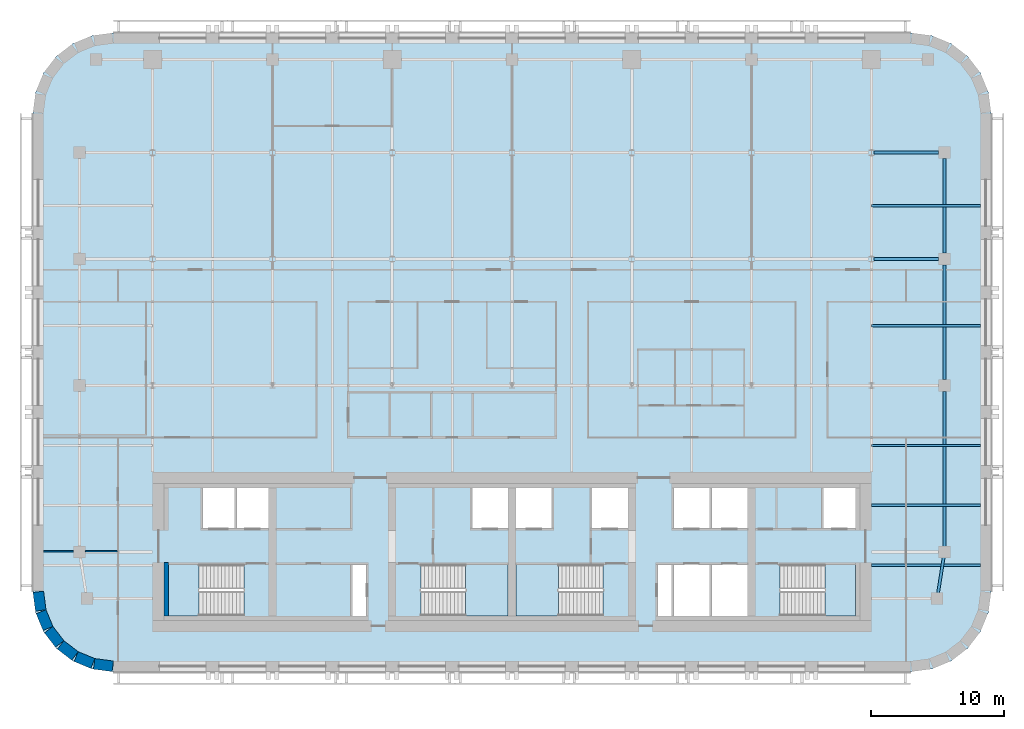
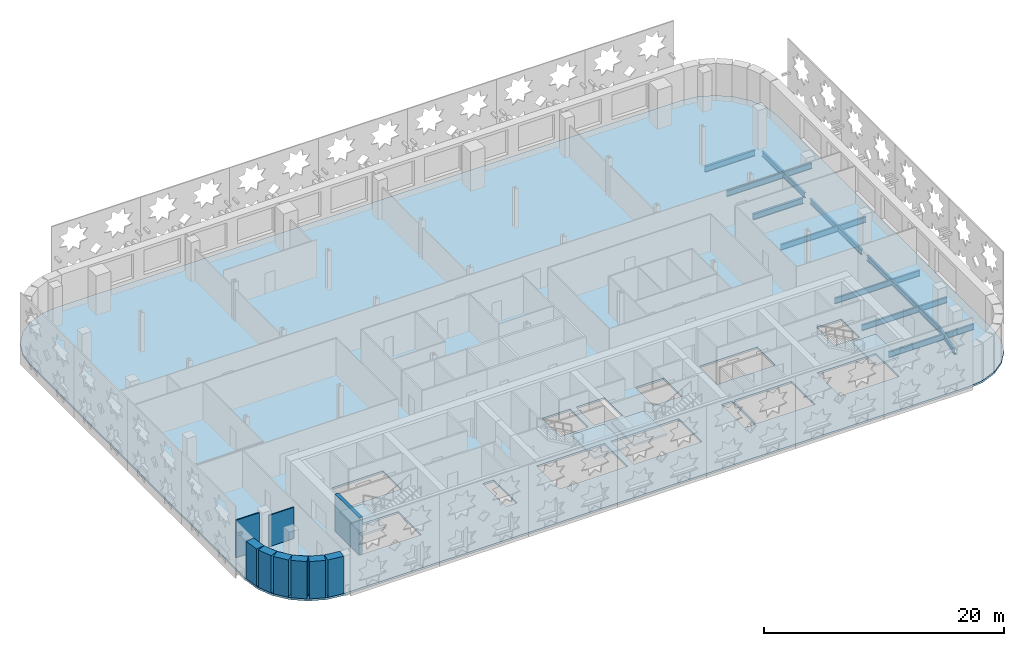
# One storey, part 2 of 12: 11 beams, 9 walls, 5 slabs, 4 elements without a shape of their own.
"""IFC4 building model written with IfcOpenShell, lengths in metres."""

from ifc_helpers import new_model, si_unit, direction, frame, frame_2d, origin, origin_2d, place, context, subcontext, project, spatial, polyline, rectangle, i_section, outline, extrude, material, layer, layer_set, material_profile, profile_set, type_object, element, aggregate, save


model = new_model("IFC4")

# Units and contexts
model_context = context("Model", 3, precision=1e-05, world=origin(), true_north=direction((0.0, 1.0)))
body_context = subcontext(model_context, "Body", "Model", "MODEL_VIEW")
ifc_project = project(units=[si_unit("LENGTHUNIT", "METRE"), si_unit("AREAUNIT", "SQUARE_METRE"), si_unit("VOLUMEUNIT", "CUBIC_METRE"), si_unit("PLANEANGLEUNIT", "RADIAN"), si_unit("MASSUNIT", "GRAM", prefix="KILO")], contexts=[model_context])

# Site, building, storey
site_placement = place(None, origin())
site = spatial("IfcSite", under=ifc_project, at=site_placement, CompositionType="ELEMENT")
building_placement = place(site_placement, origin())
building = spatial("IfcBuilding", under=site, at=building_placement, Name="Zellij Exchange Tower", CompositionType="ELEMENT")
storey_placement = place(building_placement, frame((0.0, 0.0, 204.5)))
storey = spatial("IfcBuildingStorey", under=building, at=storey_placement, Name="L47", CompositionType="ELEMENT", Elevation=204.5)

# Beams
ifc_material_1 = material(Name="Structural steel ASTM A992 Gr 50", Category="steel")
ifc_material_profile_1 = material_profile(ifc_material_1, i_section(OverallWidth=0.177978515625, OverallDepth=0.599365234375, WebThickness=0.010009765625, FlangeThickness=0.012939453125, at=origin_2d()), Name="W24x55")
ifc_profile_set_1 = profile_set([ifc_material_profile_1], Name="Structural steel ASTM A992 Gr 50")
beam_type_1 = type_object("IfcBeamType", Name="STR-BEAM W24x55", PredefinedType="BEAM", material=ifc_profile_set_1)
for number, where, z_axis, x_axis, name in (
    (1, (27.0, -9.0, -0.499755859375), (1.0, 0.0, 0.0), (0.0, 1.0, 0.0), "B4"),
    (2, (27.0, -4.5, -0.499755859375), (1.0, 0.0, 0.0), (0.0, 1.0, 0.0), "B4"),
    (3, (27.0, 0.0, -0.499755859375), (1.0, 0.0, 0.0), (0.0, 1.0, 0.0), "B4"),
    (4, (27.0, 9.0, -0.499755859375), (1.0, 0.0, 0.0), (0.0, 1.0, 0.0), "B4"),
    (5, (27.0, 18.0, -0.499755859375), (1.0, 0.0, 0.0), (0.0, 1.0, 0.0), "B4"),
):
    element("IfcBeam", number, at=place(storey_placement, frame(where, z_axis=z_axis, x_axis=x_axis)), inside=storey, type_object=beam_type_1, Name=name, PredefinedType="BEAM", context=body_context, shape_type="SweptSolid", body=[
        extrude(i_section(OverallWidth=0.177978515625, OverallDepth=0.599365234375, WebThickness=0.010009765625, FlangeThickness=0.012939453125, at=origin_2d()), origin(), (0.0, 0.0, 1.0), 8.199951171875),
    ])
ifc_material_profile_2 = material_profile(ifc_material_1, i_section(OverallWidth=0.209228515625, OverallDepth=0.533447265625, WebThickness=0.01025390625, FlangeThickness=0.015625, at=origin_2d()), Name="W21x62")
ifc_profile_set_2 = profile_set([ifc_material_profile_2], Name="Structural steel ASTM A992 Gr 50")
beam_type_2 = type_object("IfcBeamType", Name="STR-EDGE GIRDER W21x62", PredefinedType="BEAM", material=ifc_profile_set_2)
beam_1_placement = place(storey_placement, frame((31.949951171875, -11.5, -0.466796875), z_axis=(0.155251283593, 0.987875011802, 0.0), x_axis=(-0.987875011802, 0.155251283593, 0.0)))
element("IfcBeam", 6, at=beam_1_placement, inside=storey, type_object=beam_type_2, Name="EB3", PredefinedType="BEAM", context=body_context, shape_type="SweptSolid", body=[
    extrude(i_section(OverallWidth=0.209228515625, OverallDepth=0.533447265625, WebThickness=0.01025390625, FlangeThickness=0.015625, at=origin_2d()), origin(), (0.0, 0.0, 1.0), 3.54296875),
])
beam_2_placement = place(storey_placement, frame((32.5, -8.0, -0.466796875), z_axis=(0.0, 1.0, 0.0), x_axis=(-1.0, 0.0, 0.0)))
element("IfcBeam", 7, at=beam_2_placement, inside=storey, type_object=beam_type_2, Name="EB3", PredefinedType="BEAM", context=body_context, shape_type="SweptSolid", body=[
    extrude(i_section(OverallWidth=0.209228515625, OverallDepth=0.533447265625, WebThickness=0.01025390625, FlangeThickness=0.015625, at=origin_2d()), origin(), (0.0, 0.0, 1.0), 12.050048828125),
])
beam_3_placement = place(storey_placement, frame((32.5, 4.949951171875, -0.466796875), z_axis=(0.0, 1.0, 0.0), x_axis=(-1.0, 0.0, 0.0)))
element("IfcBeam", 8, at=beam_3_placement, inside=storey, type_object=beam_type_2, Name="EB3", PredefinedType="BEAM", context=body_context, shape_type="SweptSolid", body=[
    extrude(i_section(OverallWidth=0.209228515625, OverallDepth=0.533447265625, WebThickness=0.01025390625, FlangeThickness=0.015625, at=origin_2d()), origin(), (0.0, 0.0, 1.0), 8.60009765625),
])
beam_4_placement = place(storey_placement, frame((32.5, 14.449951171875, -0.466796875), z_axis=(0.0, 1.0, 0.0), x_axis=(-1.0, 0.0, 0.0)))
element("IfcBeam", 9, at=beam_4_placement, inside=storey, type_object=beam_type_2, Name="EB3", PredefinedType="BEAM", context=body_context, shape_type="SweptSolid", body=[
    extrude(i_section(OverallWidth=0.209228515625, OverallDepth=0.533447265625, WebThickness=0.01025390625, FlangeThickness=0.015625, at=origin_2d()), origin(), (0.0, 0.0, 1.0), 7.10009765625),
])
ifc_material_profile_3 = material_profile(ifc_material_1, i_section(OverallWidth=0.228271484375, OverallDepth=0.607177734375, WebThickness=0.01123046875, FlangeThickness=0.017333984375, at=origin_2d()), Name="W24x76")
ifc_profile_set_3 = profile_set([ifc_material_profile_3], Name="Structural steel ASTM A992 Gr 50")
beam_type_3 = type_object("IfcBeamType", Name="STR-GIRDER W24x76", PredefinedType="BEAM", material=ifc_profile_set_3)
for number, where, z_axis, x_axis, name in (
    (10, (27.20458984375, 14.0, -0.50341796875), (1.0, 0.0, 0.0), (0.0, 1.0, 0.0), "G2"),
    (11, (27.20458984375, 22.0, -0.50341796875), (1.0, 0.0, 0.0), (0.0, 1.0, 0.0), "G2"),
):
    element("IfcBeam", number, at=place(storey_placement, frame(where, z_axis=z_axis, x_axis=x_axis)), inside=storey, type_object=beam_type_3, Name=name, PredefinedType="BEAM", context=body_context, shape_type="SweptSolid", body=[
        extrude(i_section(OverallWidth=0.228271484375, OverallDepth=0.607177734375, WebThickness=0.01123046875, FlangeThickness=0.017333984375, at=origin_2d()), origin(), (0.0, 0.0, 1.0), 4.845458984375),
    ])

# Stair, slab
ifc_material_2 = material(Name="Concrete C40/50", Category="concrete")
stair_type = type_object("IfcStairType", Name="CORE-ST exit stair 1850 wide", PredefinedType="HALF_TURN_STAIR", material=ifc_material_2)
stair_1_placement = place(storey_placement, origin())
stair_1 = element("IfcStair", 12, at=stair_1_placement, inside=storey, type_object=stair_type, Name="L47 exit stair ST1", PredefinedType="HALF_TURN_STAIR")
ifc_layer_1 = layer(ifc_material_2, 0.199951171875)
ifc_layer_set_1 = layer_set([ifc_layer_1], Name="Concrete C40/50")
slab_type_1 = type_object("IfcSlabType", Name="CORE-SL stair landing 200", PredefinedType="LANDING", material=ifc_layer_set_1)
slab_1_placement = place(storey_placement, frame((0.0, 0.0, 1.800048828125)))
slab_1 = element("IfcSlab", 13, at=slab_1_placement, type_object=slab_type_1, Name="ST1 landing 1", PredefinedType="LANDING", context=body_context, shape_type="SweptSolid", body=[
    extrude(outline(polyline([(-23.510009765625, -8.949951171875), (-25.800048828125, -8.949951171875), (-25.800048828125, -12.800048828125), (-23.510009765625, -12.800048828125), (-23.510009765625, -8.949951171875)])), origin(), (0.0, 0.0, 1.0), 0.199951171875),
])
aggregate(stair_1, [slab_1])

stair_2_placement = place(storey_placement, origin())
stair_2 = element("IfcStair", 14, at=stair_2_placement, inside=storey, type_object=stair_type, Name="L47 exit stair ST2", PredefinedType="HALF_TURN_STAIR")
slab_2_placement = place(storey_placement, frame((0.0, 0.0, 1.800048828125)))
slab_2 = element("IfcSlab", 15, at=slab_2_placement, type_object=slab_type_1, Name="ST2 landing 1", PredefinedType="LANDING", context=body_context, shape_type="SweptSolid", body=[
    extrude(outline(polyline([(-3.489990234375, -12.800048828125), (-0.300048828125, -12.800048828125), (-0.300048828125, -8.949951171875), (-3.489990234375, -8.949951171875), (-3.489990234375, -12.800048828125)])), origin(), (0.0, 0.0, 1.0), 0.199951171875),
])
aggregate(stair_2, [slab_2])

stair_3_placement = place(storey_placement, origin())
stair_3 = element("IfcStair", 16, at=stair_3_placement, inside=storey, type_object=stair_type, Name="L47 exit stair ST3", PredefinedType="HALF_TURN_STAIR")
slab_3_placement = place(storey_placement, frame((0.0, 0.0, 1.800048828125)))
slab_3 = element("IfcSlab", 17, at=slab_3_placement, type_object=slab_type_1, Name="ST3 landing 1", PredefinedType="LANDING", context=body_context, shape_type="SweptSolid", body=[
    extrude(outline(polyline([(3.489990234375, -8.949951171875), (0.300048828125, -8.949951171875), (0.300048828125, -12.800048828125), (3.489990234375, -12.800048828125), (3.489990234375, -8.949951171875)])), origin(), (0.0, 0.0, 1.0), 0.199951171875),
])
aggregate(stair_3, [slab_3])

stair_4_placement = place(storey_placement, origin())
stair_4 = element("IfcStair", 18, at=stair_4_placement, inside=storey, type_object=stair_type, Name="L47 exit stair ST4", PredefinedType="HALF_TURN_STAIR")
slab_4_placement = place(storey_placement, frame((0.0, 0.0, 1.800048828125)))
slab_4 = element("IfcSlab", 19, at=slab_4_placement, type_object=slab_type_1, Name="ST4 landing 1", PredefinedType="LANDING", context=body_context, shape_type="SweptSolid", body=[
    extrude(outline(polyline([(23.510009765625, -12.800048828125), (25.800048828125, -12.800048828125), (25.800048828125, -8.949951171875), (23.510009765625, -8.949951171875), (23.510009765625, -12.800048828125)])), origin(), (0.0, 0.0, 1.0), 0.199951171875),
])
aggregate(stair_4, [slab_4])

# Slab
ifc_layer_2 = layer(ifc_material_2, 0.199951171875)
ifc_layer_set_2 = layer_set([ifc_layer_2], Name="Concrete C40/50")
slab_type_2 = type_object("IfcSlabType", Name="STR-FLOOR SLAB 200 C40/50", PredefinedType="FLOOR", material=ifc_layer_set_2)
slab_5_placement = place(storey_placement, frame((0.0, 0.0, -0.2001953125)))
element("IfcSlab", 20, at=slab_5_placement, inside=storey, type_object=slab_type_2, Name="Floor L47", PredefinedType="FLOOR", context=body_context, shape_type="SweptSolid", body=[
    extrude(outline(polyline([(-30.0, -17.0), (-31.552978515625, -16.795654296875), (-33.0, -16.1962890625), (-34.24267578125, -15.24267578125), (-35.1962890625, -14.0), (-35.795654296875, -12.552978515625), (-36.0, -11.0), (-36.0, 25.0), (-35.795654296875, 26.552978515625), (-35.1962890625, 28.0), (-34.24267578125, 29.24267578125), (-33.0, 30.1962890625), (-31.552978515625, 30.795654296875), (-30.0, 31.0), (30.0, 31.0), (31.552978515625, 30.795654296875), (33.0, 30.1962890625), (34.24267578125, 29.24267578125), (35.1962890625, 28.0), (35.795654296875, 26.552978515625), (36.0, 25.0), (36.0, -11.0), (35.795654296875, -12.552978515625), (35.1962890625, -14.0), (34.24267578125, -15.24267578125), (33.0, -16.1962890625), (31.552978515625, -16.795654296875), (30.0, -17.0), (-30.0, -17.0)]), holes=[polyline([(-25.800048828125, -8.949951171875), (-25.800048828125, -12.800048828125), (-20.153076171875, -12.800048828125), (-20.153076171875, -8.949951171875), (-25.800048828125, -8.949951171875)]), polyline([(-10.949951171875, -8.949951171875), (-12.0, -8.949951171875), (-12.0, -12.800048828125), (-10.949951171875, -12.800048828125), (-10.949951171875, -8.949951171875)]), polyline([(-0.300048828125, -8.949951171875), (-6.846923828125, -8.949951171875), (-6.846923828125, -12.800048828125), (-0.300048828125, -12.800048828125), (-0.300048828125, -8.949951171875)]), polyline([(0.300048828125, -8.949951171875), (0.300048828125, -12.800048828125), (6.846923828125, -12.800048828125), (6.846923828125, -8.949951171875), (0.300048828125, -8.949951171875)]), polyline([(-18.300048828125, -3.199951171875), (-23.25, -3.199951171875), (-23.25, -6.22509765625), (-18.300048828125, -6.22509765625), (-18.300048828125, -3.199951171875)]), polyline([(-0.300048828125, -3.199951171875), (-3.0, -3.199951171875), (-3.0, -6.22509765625), (-0.300048828125, -6.22509765625), (-0.300048828125, -3.199951171875)]), polyline([(0.300048828125, -3.199951171875), (0.300048828125, -6.22509765625), (3.0, -6.22509765625), (3.0, -3.199951171875), (0.300048828125, -3.199951171875)]), polyline([(12.0, -8.949951171875), (10.949951171875, -8.949951171875), (10.949951171875, -12.800048828125), (12.0, -12.800048828125), (12.0, -8.949951171875)]), polyline([(17.699951171875, -8.949951171875), (12.14990234375, -8.949951171875), (12.14990234375, -12.800048828125), (17.699951171875, -12.800048828125), (17.699951171875, -8.949951171875)]), polyline([(25.800048828125, -8.949951171875), (20.153076171875, -8.949951171875), (20.153076171875, -12.800048828125), (25.800048828125, -12.800048828125), (25.800048828125, -8.949951171875)]), polyline([(8.699951171875, -3.199951171875), (6.0, -3.199951171875), (6.0, -6.22509765625), (8.699951171875, -6.22509765625), (8.699951171875, -3.199951171875)]), polyline([(17.699951171875, -3.199951171875), (12.14990234375, -3.199951171875), (12.14990234375, -6.22509765625), (17.699951171875, -6.22509765625), (17.699951171875, -3.199951171875)]), polyline([(25.800048828125, -3.199951171875), (23.39990234375, -3.199951171875), (23.39990234375, -6.22509765625), (25.800048828125, -6.22509765625), (25.800048828125, -3.199951171875)])]), origin(), (0.0, 0.0, 1.0), 0.2001953125),
])

# Walls
ifc_material_3 = material(Name="Concrete C30/37", Category="concrete")
ifc_layer_3 = layer(ifc_material_3, 0.35009765625)
ifc_layer_set_3 = layer_set([ifc_layer_3], Name="Concrete C30/37")
wall_type_1 = type_object("IfcWallType", Name="CORE-LW 350 C30/37", PredefinedType="SHEAR", material=ifc_layer_set_3)
wall_1_placement = place(storey_placement, frame((-25.97509765625, -12.800048828125, 0.0), z_axis=(0.0, 0.0, 1.0), x_axis=(0.0, 1.0, 0.0)))
element("IfcWall", 21, at=wall_1_placement, inside=storey, type_object=wall_type_1, Name="Core wall lining end w.0 L47", PredefinedType="SHEAR", context=body_context, shape_type="SweptSolid", body=[
    extrude(rectangle(XDim=4.0, YDim=0.35009765625, at=frame_2d((2.0, 0.0))), origin(), (0.0, 0.0, 1.0), 3.800048828125),
])
ifc_material_4 = material(Name="Precast concrete C40/50", Category="concrete")
ifc_layer_4 = layer(ifc_material_4, 0.800048828125)
ifc_layer_set_4 = layer_set([ifc_layer_4], Name="Precast concrete C40/50")
wall_type_2 = type_object("IfcWallType", Name="ENV-EW1 Precast stone-piered wall 800", PredefinedType="SOLIDWALL", material=ifc_layer_set_4)
wall_2_placement = place(storey_placement, frame((-35.5966796875, -10.999755859375, 0.0), z_axis=(0.0, 0.0, 1.0), x_axis=(0.130517283865, -0.99144603414, 0.0)))
element("IfcWall", 22, at=wall_2_placement, inside=storey, type_object=wall_type_2, Name="fac.L47.22", PredefinedType="SOLIDWALL", context=body_context, shape_type="SweptSolid", body=[
    extrude(rectangle(XDim=1.408447265625, YDim=0.800048828125, at=frame_2d((0.7041015625, 0.0))), origin(), (0.0, 0.0, 1.0), 3.800048828125),
])
wall_3_placement = place(storey_placement, frame((-35.3857421875, -12.497314453125, 0.0), z_axis=(0.0, 0.0, 1.0), x_axis=(0.38276009378, -0.923847774587, 0.0)))
element("IfcWall", 23, at=wall_3_placement, inside=storey, type_object=wall_type_2, Name="fac.L47.23", PredefinedType="SOLIDWALL", context=body_context, shape_type="SweptSolid", body=[
    extrude(rectangle(XDim=1.35546875, YDim=0.800048828125, at=frame_2d((0.677734375, 0.0))), origin(), (0.0, 0.0, 1.0), 3.800048828125),
])
for number, where, z_axis, x_axis, name in (
    (24, (-34.814697265625, -13.840087890625, 0.0), (0.0, 0.0, 1.0), (0.608866226366, -0.793272915452, 0.0), "fac.L47.24"),
    (25, (-33.91552734375, -14.9892578125, 0.0), (0.0, 0.0, 1.0), (0.793272915452, -0.608866226366, 0.0), "fac.L47.25"),
):
    element("IfcWall", number, at=place(storey_placement, frame(where, z_axis=z_axis, x_axis=x_axis)), inside=storey, type_object=wall_type_2, Name=name, PredefinedType="SOLIDWALL", context=body_context, shape_type="SweptSolid", body=[
        extrude(rectangle(XDim=1.355712890625, YDim=0.800048828125, at=frame_2d((0.677734375, 0.0))), origin(), (0.0, 0.0, 1.0), 3.800048828125),
    ])
wall_4_placement = place(storey_placement, frame((-32.74951171875, -15.866943359375, 0.0), z_axis=(0.0, 0.0, 1.0), x_axis=(0.923847774587, -0.38276009378, 0.0)))
element("IfcWall", 26, at=wall_4_placement, inside=storey, type_object=wall_type_2, Name="fac.L47.26", PredefinedType="SOLIDWALL", context=body_context, shape_type="SweptSolid", body=[
    extrude(rectangle(XDim=1.35546875, YDim=0.800048828125, at=frame_2d((0.677734375, 0.0))), origin(), (0.0, 0.0, 1.0), 3.800048828125),
])
wall_5_placement = place(storey_placement, frame((-31.396240234375, -16.412841796875, 0.0), z_axis=(0.0, 0.0, 1.0), x_axis=(0.99144603414, -0.130517283865, 0.0)))
element("IfcWall", 27, at=wall_5_placement, inside=storey, type_object=wall_type_2, Name="fac.L47.27", PredefinedType="SOLIDWALL", context=body_context, shape_type="SweptSolid", body=[
    extrude(rectangle(XDim=1.408447265625, YDim=0.800048828125, at=frame_2d((0.7041015625, 0.0))), origin(), (0.0, 0.0, 1.0), 3.800048828125),
])
ifc_material_5 = material(Name="Gypsum board partition on steel studs", Category="steel")
ifc_layer_5 = layer(ifc_material_5, 0.10009765625)
ifc_layer_set_5 = layer_set([ifc_layer_5], Name="Gypsum board partition on steel studs")
wall_type_3 = type_object("IfcWallType", Name="FIT-PARTITION-100", PredefinedType="PARTITIONING", material=ifc_layer_set_5)
wall_6_placement = place(storey_placement, frame((-35.199951171875, -7.949951171875, 0.0), z_axis=(0.0, 0.0, 1.0), x_axis=(1.0, 0.0, 0.0)))
element("IfcWall", 28, at=wall_6_placement, inside=storey, type_object=wall_type_3, Name="FIT-PARTITION-100 003", PredefinedType="PARTITIONING", context=body_context, shape_type="SweptSolid", body=[
    extrude(rectangle(XDim=2.25, YDim=0.10009765625, at=frame_2d((1.125, 0.0))), origin(), (0.0, 0.0, 1.0), 3.800048828125),
])
wall_7_placement = place(storey_placement, frame((-32.050048828125, -7.949951171875, 0.0), z_axis=(0.0, 0.0, 1.0), x_axis=(1.0, 0.0, 0.0)))
element("IfcWall", 29, at=wall_7_placement, inside=storey, type_object=wall_type_3, Name="FIT-PARTITION-100 004", PredefinedType="PARTITIONING", context=body_context, shape_type="SweptSolid", body=[
    extrude(rectangle(XDim=2.400146484375, YDim=0.10009765625, at=frame_2d((1.2001953125, 0.0))), origin(), (0.0, 0.0, 1.0), 3.19287109375),
])

save(model, "model.ifc")
